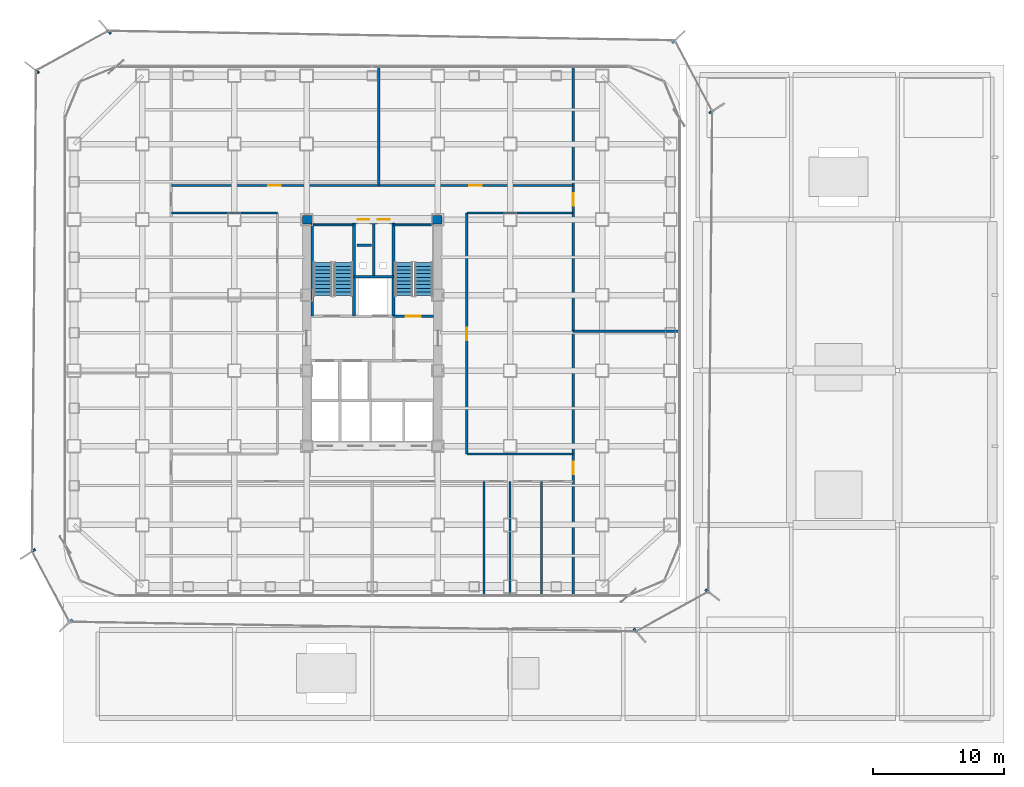
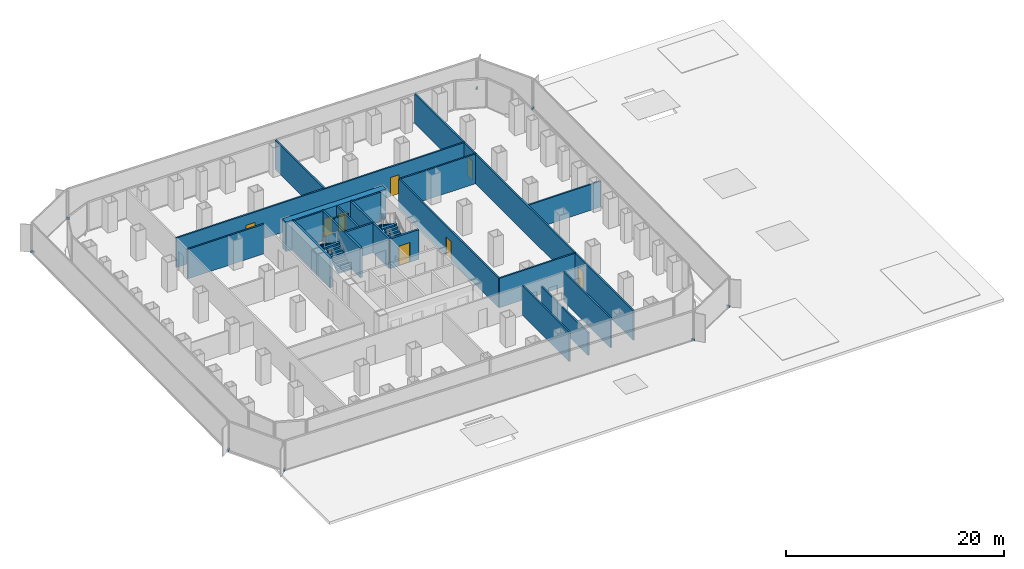
# One storey, part 24 of 27: 21 walls, 8 discrete accessories, 8 doors, 4 stair flights, 8 openings, 2 elements without a shape of their own.
"""IFC4 building model written with IfcOpenShell, lengths in metres."""

from ifc_helpers import new_model, si_unit, direction, frame, frame_2d, origin, origin_2d, place, context, subcontext, project, spatial, polyline, rectangle, outline, extrude, source, transform, mapped, material, layer, layer_set, type_object, element, fill, aggregate, save


model = new_model("IFC4")

# Units and contexts
model_context = context("Model", 3, precision=1e-05, world=origin(), true_north=direction((0.0, 1.0)))
body_context = subcontext(model_context, "Body", "Model", "MODEL_VIEW")
ifc_project = project(units=[si_unit("LENGTHUNIT", "METRE"), si_unit("AREAUNIT", "SQUARE_METRE"), si_unit("VOLUMEUNIT", "CUBIC_METRE"), si_unit("PLANEANGLEUNIT", "RADIAN"), si_unit("MASSUNIT", "GRAM", prefix="KILO")], contexts=[model_context])

# Site, building, storey
site_placement = place(None, origin())
site = spatial("IfcSite", under=ifc_project, at=site_placement, CompositionType="ELEMENT")
building_placement = place(site_placement, origin())
building = spatial("IfcBuilding", under=site, at=building_placement, Name="Kolveth Station Tower", CompositionType="ELEMENT")
storey_placement = place(building_placement, frame((0.0, 0.0, 22.5)))
storey = spatial("IfcBuildingStorey", under=building, at=storey_placement, Name="L05", CompositionType="ELEMENT", Elevation=22.5)

# Wall, openings, doors
ifc_material_1 = material(Name="Concrete C60/75", Category="concrete")
ifc_layer_1 = layer(ifc_material_1, 0.64990234375)
ifc_layer_set_1 = layer_set([ifc_layer_1], Name="Concrete C60/75")
wall_type_1 = type_object("IfcWallType", Name="Wall_CW-650", PredefinedType="SHEAR", material=ifc_layer_set_1)
wall_1_placement = place(storey_placement, frame((18.175048828125, 28.75, 0.0), z_axis=(0.0, 0.0, 1.0), x_axis=(1.0, 0.0, 0.0)))
wall_1 = element("IfcWall", 1, at=wall_1_placement, inside=storey, type_object=wall_type_1, Name="L05 Core RC Shear Wall N", PredefinedType="SHEAR", context=body_context, shape_type="SweptSolid", body=[
    extrude(rectangle(XDim=10.64990234375, YDim=0.64990234375, at=frame_2d((5.324951171875, 0.0))), origin(), (0.0, 0.0, 1.0), 3.320068359375),
])
opening_1_placement = place(wall_1_placement, frame((4.205078125, 0.0, 0.0)))
opening_1 = element("IfcOpeningElement", 2, at=opening_1_placement, cuts=wall_1, Name="Opening RD1", PredefinedType="OPENING", context=body_context, shape_type="SweptSolid", body=[
    extrude(rectangle(XDim=0.89990234375, YDim=2.050048828125, at=frame_2d((0.449951171875, 1.02490234375))), frame((0.0, 0.3349609375, 0.0), z_axis=(0.0, -1.0, 0.0), x_axis=(1.0, 0.0, 0.0)), (0.0, 0.0, 1.0), 0.669921875),
])
opening_2_placement = place(wall_1_placement, frame((5.7451171875, 0.0, 0.0)))
opening_2 = element("IfcOpeningElement", 3, at=opening_2_placement, cuts=wall_1, Name="Opening RD1", PredefinedType="OPENING", context=body_context, shape_type="SweptSolid", body=[
    extrude(rectangle(XDim=0.89990234375, YDim=2.050048828125, at=frame_2d((0.449951171875, 1.02490234375))), frame((0.0, 0.3349609375, 0.0), z_axis=(0.0, -1.0, 0.0), x_axis=(1.0, 0.0, 0.0)), (0.0, 0.0, 1.0), 0.669921875),
])
ifc_material_2 = material(Name="Fire-rated Steel S355 riser access leaf", Category="steel")
door_type_1 = type_object("IfcDoorType", Name="Door_RD1", OperationType="NOTDEFINED", PredefinedType="DOOR", material=ifc_material_2)
door_1_placement = place(opening_1_placement, origin())
door_1 = element("IfcDoor", 4, at=door_1_placement, inside=storey, type_object=door_type_1, Name="L05 Electrical Riser Access Door", OperationType="SINGLE_SWING_LEFT", OverallHeight=2.050048828125, OverallWidth=0.89990234375, PredefinedType="DOOR", context=body_context, shape_type="SweptSolid", body=[
    extrude(rectangle(XDim=0.89990234375, YDim=2.050048828125, at=frame_2d((0.449951171875, 1.02490234375))), frame((0.0, 0.02490234375, 0.0), z_axis=(0.0, -1.0, 0.0), x_axis=(1.0, 0.0, 0.0)), (0.0, 0.0, 1.0), 0.050048828125),
])
fill(opening_1, door_1)
door_2_placement = place(opening_2_placement, origin())
door_2 = element("IfcDoor", 5, at=door_2_placement, inside=storey, type_object=door_type_1, Name="L05 Smoke Duct Access Door", OperationType="SINGLE_SWING_RIGHT", OverallHeight=2.050048828125, OverallWidth=0.89990234375, PredefinedType="DOOR", context=body_context, shape_type="SweptSolid", body=[
    extrude(rectangle(XDim=0.89990234375, YDim=2.050048828125, at=frame_2d((0.449951171875, 1.02490234375))), frame((0.0, 0.02490234375, 0.0), z_axis=(0.0, -1.0, 0.0), x_axis=(1.0, 0.0, 0.0)), (0.0, 0.0, 1.0), 0.050048828125),
])
fill(opening_2, door_2)

# Walls
ifc_material_3 = material(Name="Acoustic double-stud gypsum partition")
ifc_layer_2 = layer(ifc_material_3, 0.1650390625)
ifc_layer_set_2 = layer_set([ifc_layer_2], Name="Acoustic double-stud gypsum partition")
wall_type_2 = type_object("IfcWallType", Name="Wall_IW-165", PredefinedType="PARTITIONING", material=ifc_layer_set_2)
wall_2_placement = place(storey_placement, frame((18.8349609375, 28.3349609375, 0.0), z_axis=(0.0, 0.0, 1.0), x_axis=(1.0, 0.0, 0.0)))
element("IfcWall", 6, at=wall_2_placement, inside=storey, type_object=wall_type_2, Name="L05 Stair Shaft Wall WL-L05-ST1-N", PredefinedType="PARTITIONING", context=body_context, shape_type="SweptSolid", body=[
    extrude(rectangle(XDim=3.275146484375, YDim=0.1650390625, at=frame_2d((1.6376953125, 0.0))), origin(), (0.0, 0.0, 1.0), 3.320068359375),
])
wall_3_placement = place(storey_placement, frame((25.1298828125, 28.3349609375, 0.0), z_axis=(0.0, 0.0, 1.0), x_axis=(1.0, 0.0, 0.0)))
element("IfcWall", 7, at=wall_3_placement, inside=storey, type_object=wall_type_2, Name="L05 Stair Shaft Wall WL-L05-ST2-N", PredefinedType="PARTITIONING", context=body_context, shape_type="SweptSolid", body=[
    extrude(rectangle(XDim=3.03515625, YDim=0.1650390625, at=frame_2d((1.517578125, 0.0))), origin(), (0.0, 0.0, 1.0), 3.320068359375),
])
wall_4_placement = place(storey_placement, frame((23.6201171875, 24.39990234375, 0.0), z_axis=(0.0, 0.0, 1.0), x_axis=(0.0, 1.0, 0.0)))
element("IfcWall", 8, at=wall_4_placement, inside=storey, type_object=wall_type_2, Name="L05 Partition Wall WL-L05-RSR-M", PredefinedType="PARTITIONING", context=body_context, shape_type="SweptSolid", body=[
    extrude(rectangle(XDim=4.01513671875, YDim=0.1650390625, at=frame_2d((2.007568359375, 0.0))), origin(), (0.0, 0.0, 1.0), 3.320068359375),
])

# Wall, openings, doors
wall_5_placement = place(storey_placement, frame((8.199951171875, 31.35009765625, 0.0), z_axis=(0.0, 0.0, 1.0), x_axis=(1.0, 0.0, 0.0)))
wall_5 = element("IfcWall", 9, at=wall_5_placement, inside=storey, type_object=wall_type_2, Name="L05 Partition Wall WL-L05-ON", PredefinedType="PARTITIONING", context=body_context, shape_type="SweptSolid", body=[
    extrude(rectangle(XDim=30.60009765625, YDim=0.1650390625, at=frame_2d((15.300048828125, 0.0))), origin(), (0.0, 0.0, 1.0), 3.320068359375),
])
opening_3_placement = place(wall_5_placement, frame((7.39990234375, 0.0, 0.0)))
opening_3 = element("IfcOpeningElement", 10, at=opening_3_placement, cuts=wall_5, Name="Opening ID1", PredefinedType="OPENING", context=body_context, shape_type="SweptSolid", body=[
    extrude(rectangle(XDim=0.949951171875, YDim=2.14990234375, at=frame_2d((0.47509765625, 1.074951171875))), frame((0.0, 0.092529296875, 0.0), z_axis=(0.0, -1.0, 0.0), x_axis=(1.0, 0.0, 0.0)), (0.0, 0.0, 1.0), 0.18505859375),
])
opening_4_placement = place(wall_5_placement, frame((22.699951171875, 0.0, 0.0)))
opening_4 = element("IfcOpeningElement", 11, at=opening_4_placement, cuts=wall_5, Name="Opening ID1", PredefinedType="OPENING", context=body_context, shape_type="SweptSolid", body=[
    extrude(rectangle(XDim=0.949951171875, YDim=2.14990234375, at=frame_2d((0.47509765625, 1.074951171875))), frame((0.0, 0.092529296875, 0.0), z_axis=(0.0, -1.0, 0.0), x_axis=(1.0, 0.0, 0.0)), (0.0, 0.0, 1.0), 0.18505859375),
])
ifc_material_4 = material(Name="Acoustic hardwood leaf and aluminium frame", Category="wood")
door_type_2 = type_object("IfcDoorType", Name="Door_ID1", OperationType="NOTDEFINED", PredefinedType="DOOR", material=ifc_material_4)
door_3_placement = place(opening_3_placement, origin())
door_3 = element("IfcDoor", 12, at=door_3_placement, inside=storey, type_object=door_type_2, Name="L05 Open Plan Office North Door", OperationType="SINGLE_SWING_RIGHT", OverallHeight=2.14990234375, OverallWidth=0.949951171875, PredefinedType="DOOR", context=body_context, shape_type="SweptSolid", body=[
    extrude(rectangle(XDim=0.949951171875, YDim=2.14990234375, at=frame_2d((0.47509765625, 1.074951171875))), frame((0.0, 0.02490234375, 0.0), z_axis=(0.0, -1.0, 0.0), x_axis=(1.0, 0.0, 0.0)), (0.0, 0.0, 1.0), 0.050048828125),
])
fill(opening_3, door_3)
door_4_placement = place(opening_4_placement, origin())
door_4 = element("IfcDoor", 13, at=door_4_placement, inside=storey, type_object=door_type_2, Name="L05 Executive Corner Office Door", OperationType="SINGLE_SWING_LEFT", OverallHeight=2.14990234375, OverallWidth=0.949951171875, PredefinedType="DOOR", context=body_context, shape_type="SweptSolid", body=[
    extrude(rectangle(XDim=0.949951171875, YDim=2.14990234375, at=frame_2d((0.47509765625, 1.074951171875))), frame((0.0, 0.02490234375, 0.0), z_axis=(0.0, -1.0, 0.0), x_axis=(1.0, 0.0, 0.0)), (0.0, 0.0, 1.0), 0.050048828125),
])
fill(opening_4, door_4)

# Walls
for number, where, z_axis, x_axis, name in (
    (14, (30.699951171875, 10.89990234375, 0.0), (0.0, 0.0, 1.0), (1.0, 0.0, 0.0), "L05 Partition Wall WL-L05-OSET"),
    (15, (8.199951171875, 29.25, 0.0), (0.0, 0.0, 1.0), (1.0, 0.0, 0.0), "L05 Partition Wall WL-L05-ONWB"),
    (16, (30.699951171875, 29.25, 0.0), (0.0, 0.0, 1.0), (1.0, 0.0, 0.0), "L05 Partition Wall WL-L05-ONEB"),
):
    element("IfcWall", number, at=place(storey_placement, frame(where, z_axis=z_axis, x_axis=x_axis)), inside=storey, type_object=wall_type_2, Name=name, PredefinedType="PARTITIONING", context=body_context, shape_type="SweptSolid", body=[
        extrude(rectangle(XDim=8.10009765625, YDim=0.1650390625, at=frame_2d((4.050048828125, 0.0))), origin(), (0.0, 0.0, 1.0), 3.320068359375),
    ])

# Wall, opening, door
wall_6_placement = place(storey_placement, frame((30.699951171875, 10.89990234375, 0.0), z_axis=(0.0, 0.0, 1.0), x_axis=(0.0, 1.0, 0.0)))
wall_6 = element("IfcWall", 17, at=wall_6_placement, inside=storey, type_object=wall_type_2, Name="L05 Partition Wall WL-L05-OCE", PredefinedType="PARTITIONING", context=body_context, shape_type="SweptSolid", body=[
    extrude(rectangle(XDim=18.35009765625, YDim=0.1650390625, at=frame_2d((9.175048828125, 0.0))), origin(), (0.0, 0.0, 1.0), 3.320068359375),
])
opening_5_placement = place(wall_6_placement, frame((8.675048828125, 0.0, 0.0)))
opening_5 = element("IfcOpeningElement", 18, at=opening_5_placement, cuts=wall_6, Name="Opening ID1", PredefinedType="OPENING", context=body_context, shape_type="SweptSolid", body=[
    extrude(rectangle(XDim=0.949951171875, YDim=2.14990234375, at=frame_2d((0.47509765625, 1.074951171875))), frame((0.0, 0.092529296875, 0.0), z_axis=(0.0, -1.0, 0.0), x_axis=(1.0, 0.0, 0.0)), (0.0, 0.0, 1.0), 0.18505859375),
])
door_5_placement = place(opening_5_placement, origin())
door_5 = element("IfcDoor", 19, at=door_5_placement, inside=storey, type_object=door_type_2, Name="L05 Internal Meeting Room E1 Door", OperationType="SINGLE_SWING_LEFT", OverallHeight=2.14990234375, OverallWidth=0.949951171875, PredefinedType="DOOR", context=body_context, shape_type="SweptSolid", body=[
    extrude(rectangle(XDim=0.949951171875, YDim=2.14990234375, at=frame_2d((0.47509765625, 1.074951171875))), frame((0.0, 0.02490234375, 0.0), z_axis=(0.0, -1.0, 0.0), x_axis=(1.0, 0.0, 0.0)), (0.0, 0.0, 1.0), 0.050048828125),
])
fill(opening_5, door_5)

# Wall, openings, doors
wall_7_placement = place(storey_placement, frame((38.800048828125, 0.159912109375, 0.0), z_axis=(0.0, 0.0, 1.0), x_axis=(0.0, 1.0, 0.0)))
wall_7 = element("IfcWall", 20, at=wall_7_placement, inside=storey, type_object=wall_type_2, Name="L05 Partition Wall WL-L05-OEEND", PredefinedType="PARTITIONING", context=body_context, shape_type="SweptSolid", body=[
    extrude(rectangle(XDim=40.18017578125, YDim=0.1650390625, at=frame_2d((20.090087890625, 0.0))), origin(), (0.0, 0.0, 1.0), 3.320068359375),
])
opening_6_placement = place(wall_7_placement, frame((9.18994140625, 0.0, 0.0)))
opening_6 = element("IfcOpeningElement", 21, at=opening_6_placement, cuts=wall_7, Name="Opening ID1", PredefinedType="OPENING", context=body_context, shape_type="SweptSolid", body=[
    extrude(rectangle(XDim=0.949951171875, YDim=2.14990234375, at=frame_2d((0.47509765625, 1.074951171875))), frame((0.0, 0.092529296875, 0.0), z_axis=(0.0, -1.0, 0.0), x_axis=(1.0, 0.0, 0.0)), (0.0, 0.0, 1.0), 0.18505859375),
])
opening_7_placement = place(wall_7_placement, frame((29.639892578125, 0.0, 0.0)))
opening_7 = element("IfcOpeningElement", 22, at=opening_7_placement, cuts=wall_7, Name="Opening ID1", PredefinedType="OPENING", context=body_context, shape_type="SweptSolid", body=[
    extrude(rectangle(XDim=0.949951171875, YDim=2.14990234375, at=frame_2d((0.47509765625, 1.074951171875))), frame((0.0, 0.092529296875, 0.0), z_axis=(0.0, -1.0, 0.0), x_axis=(1.0, 0.0, 0.0)), (0.0, 0.0, 1.0), 0.18505859375),
])
door_6_placement = place(opening_6_placement, origin())
door_6 = element("IfcDoor", 23, at=door_6_placement, inside=storey, type_object=door_type_2, Name="L05 East-South Wing Door", OperationType="SINGLE_SWING_RIGHT", OverallHeight=2.14990234375, OverallWidth=0.949951171875, PredefinedType="DOOR", context=body_context, shape_type="SweptSolid", body=[
    extrude(rectangle(XDim=0.949951171875, YDim=2.14990234375, at=frame_2d((0.47509765625, 1.074951171875))), frame((0.0, 0.02490234375, 0.0), z_axis=(0.0, -1.0, 0.0), x_axis=(1.0, 0.0, 0.0)), (0.0, 0.0, 1.0), 0.050048828125),
])
fill(opening_6, door_6)
door_7_placement = place(opening_7_placement, origin())
door_7 = element("IfcDoor", 24, at=door_7_placement, inside=storey, type_object=door_type_2, Name="L05 East-North Wing Door", OperationType="SINGLE_SWING_LEFT", OverallHeight=2.14990234375, OverallWidth=0.949951171875, PredefinedType="DOOR", context=body_context, shape_type="SweptSolid", body=[
    extrude(rectangle(XDim=0.949951171875, YDim=2.14990234375, at=frame_2d((0.47509765625, 1.074951171875))), frame((0.0, 0.02490234375, 0.0), z_axis=(0.0, -1.0, 0.0), x_axis=(1.0, 0.0, 0.0)), (0.0, 0.0, 1.0), 0.050048828125),
])
fill(opening_7, door_7)

# Walls
wall_8_placement = place(storey_placement, frame((32.0, 0.159912109375, 0.0), z_axis=(0.0, 0.0, 1.0), x_axis=(0.0, 1.0, 0.0)))
element("IfcWall", 25, at=wall_8_placement, inside=storey, type_object=wall_type_2, Name="L05 Partition Wall WL-L05-OS-P2", PredefinedType="PARTITIONING", context=body_context, shape_type="SweptSolid", body=[
    extrude(rectangle(XDim=8.64013671875, YDim=0.1650390625, at=frame_2d((4.320068359375, 0.0))), origin(), (0.0, 0.0, 1.0), 3.320068359375),
])
wall_9_placement = place(storey_placement, frame((34.0, 0.159912109375, 0.0), z_axis=(0.0, 0.0, 1.0), x_axis=(0.0, 1.0, 0.0)))
element("IfcWall", 26, at=wall_9_placement, inside=storey, type_object=wall_type_2, Name="L05 Partition Wall WL-L05-OS-P3", PredefinedType="PARTITIONING", context=body_context, shape_type="SweptSolid", body=[
    extrude(rectangle(XDim=8.64013671875, YDim=0.1650390625, at=frame_2d((4.320068359375, 0.0))), origin(), (0.0, 0.0, 1.0), 2.5390625),
])
wall_10_placement = place(storey_placement, frame((36.39990234375, 0.159912109375, 0.0), z_axis=(0.0, 0.0, 1.0), x_axis=(0.0, 1.0, 0.0)))
element("IfcWall", 27, at=wall_10_placement, inside=storey, type_object=wall_type_2, Name="L05 Partition Wall WL-L05-OS-P4", PredefinedType="PARTITIONING", context=body_context, shape_type="SweptSolid", body=[
    extrude(rectangle(XDim=8.64013671875, YDim=0.1650390625, at=frame_2d((4.320068359375, 0.0))), origin(), (0.0, 0.0, 1.0), 3.320068359375),
])
wall_11_placement = place(storey_placement, frame((24.0, 31.35009765625, 0.0), z_axis=(0.0, 0.0, 1.0), x_axis=(0.0, 1.0, 0.0)))
element("IfcWall", 28, at=wall_11_placement, inside=storey, type_object=wall_type_2, Name="L05 Partition Wall WL-L05-ON-P1", PredefinedType="PARTITIONING", context=body_context, shape_type="SweptSolid", body=[
    extrude(rectangle(XDim=8.989990234375, YDim=0.1650390625, at=frame_2d((4.4951171875, 0.0))), origin(), (0.0, 0.0, 1.0), 3.320068359375),
])
wall_12_placement = place(storey_placement, frame((38.800048828125, 20.25, 0.0), z_axis=(0.0, 0.0, 1.0), x_axis=(1.0, 0.0, 0.0)))
element("IfcWall", 29, at=wall_12_placement, inside=storey, type_object=wall_type_2, Name="L05 Partition Wall WL-L05-OEM", PredefinedType="PARTITIONING", context=body_context, shape_type="SweptSolid", body=[
    extrude(rectangle(XDim=8.0400390625, YDim=0.1650390625, at=frame_2d((4.02001953125, 0.0))), origin(), (0.0, 0.0, 1.0), 2.89794921875),
])
wall_13_placement = place(storey_placement, frame((22.35009765625, 26.800048828125, 0.0), z_axis=(0.0, 0.0, 1.0), x_axis=(1.0, 0.0, 0.0)))
element("IfcWall", 30, at=wall_13_placement, inside=storey, type_object=wall_type_2, Name="L05 Acoustic Riser Dry-Lining Wall", PredefinedType="PARTITIONING", context=body_context, shape_type="SweptSolid", body=[
    extrude(rectangle(XDim=1.099853515625, YDim=0.1650390625, at=frame_2d((0.5498046875, 0.0))), origin(), (0.0, 0.0, 1.0), 3.320068359375),
])
ifc_material_5 = material(Name="Acoustic fire-rated gypsum blockwork", Category="masonry")
ifc_layer_3 = layer(ifc_material_5, 0.199951171875)
ifc_layer_set_3 = layer_set([ifc_layer_3], Name="Acoustic fire-rated gypsum blockwork")
wall_type_3 = type_object("IfcWallType", Name="Wall_IW-200", PredefinedType="PARTITIONING", material=ifc_layer_set_3)
wall_14_placement = place(storey_placement, frame((22.110107421875, 24.39990234375, 0.0), z_axis=(0.0, 0.0, 1.0), x_axis=(1.0, 0.0, 0.0)))
element("IfcWall", 31, at=wall_14_placement, inside=storey, type_object=wall_type_3, Name="L05 Partition Wall WL-L05-RSR-S", PredefinedType="PARTITIONING", context=body_context, shape_type="SweptSolid", body=[
    extrude(rectangle(XDim=3.019775390625, YDim=0.199951171875, at=frame_2d((1.509765625, 0.0))), origin(), (0.0, 0.0, 1.0), 3.320068359375),
])
ifc_material_6 = material(Name="Concrete C40/50", Category="concrete")
ifc_layer_4 = layer(ifc_material_6, 0.219970703125)
ifc_layer_set_4 = layer_set([ifc_layer_4], Name="Concrete C40/50")
wall_type_4 = type_object("IfcWallType", Name="Wall_IW-220", PredefinedType="SOLIDWALL", material=ifc_layer_set_4)
for number, where, z_axis, x_axis, name in (
    (32, (18.929931640625, 21.389892578125, 0.0), (0.0, 0.0, 1.0), (0.0, 1.0, 0.0), "L05 Stair Shaft Wall WL-L05-ST1-W"),
    (33, (22.110107421875, 21.389892578125, 0.0), (0.0, 0.0, 1.0), (0.0, 1.0, 0.0), "L05 Stair Shaft Wall WL-L05-ST1-E"),
    (34, (25.1298828125, 21.389892578125, 0.0), (0.0, 0.0, 1.0), (0.0, 1.0, 0.0), "L05 Stair Shaft Wall WL-L05-ST2-W"),
):
    element("IfcWall", number, at=place(storey_placement, frame(where, z_axis=z_axis, x_axis=x_axis)), inside=storey, type_object=wall_type_4, Name=name, PredefinedType="SOLIDWALL", context=body_context, shape_type="SweptSolid", body=[
        extrude(rectangle(XDim=7.110107421875, YDim=0.219970703125, at=frame_2d((3.55517578125, 0.0))), origin(), (0.0, 0.0, 1.0), 3.320068359375),
    ])

# Wall, opening, door
wall_15_placement = place(storey_placement, frame((25.1298828125, 21.389892578125, 0.0), z_axis=(0.0, 0.0, 1.0), x_axis=(1.0, 0.0, 0.0)))
wall_15 = element("IfcWall", 35, at=wall_15_placement, inside=storey, type_object=wall_type_4, Name="L05 Stair Shaft Wall WL-L05-ST2-S", PredefinedType="SOLIDWALL", context=body_context, shape_type="SweptSolid", body=[
    extrude(rectangle(XDim=3.03515625, YDim=0.219970703125, at=frame_2d((1.517578125, 0.0))), origin(), (0.0, 0.0, 1.0), 3.320068359375),
])
opening_8_placement = place(wall_15_placement, frame((0.919921875, 0.0, 0.0)))
opening_8 = element("IfcOpeningElement", 36, at=opening_8_placement, cuts=wall_15, Name="Opening FD1", PredefinedType="OPENING", context=body_context, shape_type="SweptSolid", body=[
    extrude(rectangle(XDim=1.14990234375, YDim=2.199951171875, at=frame_2d((0.574951171875, 1.10009765625))), frame((0.0, 0.119873046875, 0.0), z_axis=(0.0, -1.0, 0.0), x_axis=(1.0, 0.0, 0.0)), (0.0, 0.0, 1.0), 0.239990234375),
])
ifc_material_7 = material(Name="Fire-rated Steel S355 leaf and frame", Category="steel")
door_type_3 = type_object("IfcDoorType", Name="Door_FD1", OperationType="NOTDEFINED", PredefinedType="DOOR", material=ifc_material_7)
door_8_placement = place(opening_8_placement, frame((1.14990234375, 0.0, 0.0), z_axis=(0.0, 0.0, 1.0), x_axis=(-1.0, 0.0, 0.0)))
door_8 = element("IfcDoor", 37, at=door_8_placement, inside=storey, type_object=door_type_3, Name="L05 Stair ST2 Fire Door", OperationType="SINGLE_SWING_LEFT", OverallHeight=2.199951171875, OverallWidth=1.14990234375, PredefinedType="DOOR", context=body_context, shape_type="SweptSolid", body=[
    extrude(rectangle(XDim=1.14990234375, YDim=2.199951171875, at=frame_2d((0.574951171875, 1.10009765625))), frame((0.0, 0.02490234375, 0.0), z_axis=(0.0, -1.0, 0.0), x_axis=(1.0, 0.0, 0.0)), (0.0, 0.0, 1.0), 0.050048828125),
])
fill(opening_8, door_8)

# Stair, stair flights
stair_type_1 = type_object("IfcStairType", Name="Stair_ST1", PredefinedType="HALF_TURN_STAIR", material=ifc_material_6)
stair_1_placement = place(storey_placement, origin())
stair_1 = element("IfcStair", 38, at=stair_1_placement, inside=storey, type_object=stair_type_1, Name="L05 Tower Exit Stair ST1", PredefinedType="HALF_TURN_STAIR")
ifc_layer_5 = layer(ifc_material_6, 0.179931640625)
ifc_layer_set_5 = layer_set([ifc_layer_5], Name="Concrete C40/50")
stair_flight_type_1 = type_object("IfcStairFlightType", Name="Flight_ST1", PredefinedType="STRAIGHT", material=ifc_layer_set_5)
stair_flight_1_placement = place(storey_placement, frame((21.300048828125, 22.949951171875, 0.0), z_axis=(0.0, 0.0, 1.0), x_axis=(0.0, 1.0, 0.0)))
stair_flight_1 = element("IfcStairFlight", 39, at=stair_flight_1_placement, type_object=stair_flight_type_1, Name="ST1 flight 1", NumberOfRisers=10, NumberOfTreads=9, PredefinedType="STRAIGHT", RiserHeight=0.18, TreadLength=0.28, context=body_context, shape_type="SweptSolid", body=[
    extrude(outline(polyline([(0.0, 0.0), (0.0, 0.179931640625), (0.280029296875, 0.179931640625), (0.280029296875, 0.360107421875), (0.56005859375, 0.360107421875), (0.56005859375, 0.5400390625), (0.840087890625, 0.5400390625), (0.840087890625, 0.719970703125), (1.1201171875, 0.719970703125), (1.1201171875, 0.89990234375), (1.39990234375, 0.89990234375), (1.39990234375, 1.080078125), (1.679931640625, 1.080078125), (1.679931640625, 1.260009765625), (1.9599609375, 1.260009765625), (1.9599609375, 1.43994140625), (2.239990234375, 1.43994140625), (2.239990234375, 1.6201171875), (2.52001953125, 1.6201171875), (2.52001953125, 1.800048828125), (2.52001953125, 1.44189453125), (0.277099609375, 0.0), (0.0, 0.0)])), frame((0.0, 0.699951171875, 0.0), z_axis=(0.0, -1.0, 0.0), x_axis=(1.0, 0.0, 0.0)), (0.0, 0.0, 1.0), 1.39990234375),
])
stair_flight_2_placement = place(storey_placement, frame((19.739990234375, 25.469970703125, 1.800048828125), z_axis=(0.0, 0.0, 1.0), x_axis=(0.0, -1.0, 0.0)))
stair_flight_2 = element("IfcStairFlight", 40, at=stair_flight_2_placement, type_object=stair_flight_type_1, Name="ST1 flight 2", NumberOfRisers=10, NumberOfTreads=9, PredefinedType="STRAIGHT", RiserHeight=0.18, TreadLength=0.28, context=body_context, shape_type="SweptSolid", body=[
    extrude(outline(polyline([(0.0, 0.0), (0.0, 0.179931640625), (0.280029296875, 0.179931640625), (0.280029296875, 0.360107421875), (0.56005859375, 0.360107421875), (0.56005859375, 0.5400390625), (0.840087890625, 0.5400390625), (0.840087890625, 0.719970703125), (1.1201171875, 0.719970703125), (1.1201171875, 0.89990234375), (1.39990234375, 0.89990234375), (1.39990234375, 1.080078125), (1.679931640625, 1.080078125), (1.679931640625, 1.260009765625), (1.9599609375, 1.260009765625), (1.9599609375, 1.43994140625), (2.239990234375, 1.43994140625), (2.239990234375, 1.6201171875), (2.52001953125, 1.6201171875), (2.52001953125, 1.800048828125), (2.52001953125, 1.44189453125), (0.277099609375, 0.0), (0.0, 0.0)])), frame((0.0, 0.699951171875, 0.0), z_axis=(0.0, -1.0, 0.0), x_axis=(1.0, 0.0, 0.0)), (0.0, 0.0, 1.0), 1.39990234375),
])
aggregate(stair_1, [stair_flight_1, stair_flight_2])

stair_type_2 = type_object("IfcStairType", Name="Stair_ST2", PredefinedType="HALF_TURN_STAIR", material=ifc_material_6)
stair_2_placement = place(storey_placement, origin())
stair_2 = element("IfcStair", 41, at=stair_2_placement, inside=storey, type_object=stair_type_2, Name="L05 Tower Exit Stair ST2", PredefinedType="HALF_TURN_STAIR")
ifc_layer_6 = layer(ifc_material_6, 0.179931640625)
ifc_layer_set_6 = layer_set([ifc_layer_6], Name="Concrete C40/50")
stair_flight_type_2 = type_object("IfcStairFlightType", Name="Flight_ST2", PredefinedType="STRAIGHT", material=ifc_layer_set_6)
stair_flight_3_placement = place(storey_placement, frame((27.425048828125, 22.949951171875, 0.0), z_axis=(0.0, 0.0, 1.0), x_axis=(0.0, 1.0, 0.0)))
stair_flight_3 = element("IfcStairFlight", 42, at=stair_flight_3_placement, type_object=stair_flight_type_2, Name="ST2 flight 1", NumberOfRisers=10, NumberOfTreads=9, PredefinedType="STRAIGHT", RiserHeight=0.18, TreadLength=0.28, context=body_context, shape_type="SweptSolid", body=[
    extrude(outline(polyline([(0.0, 0.0), (0.0, 0.179931640625), (0.280029296875, 0.179931640625), (0.280029296875, 0.360107421875), (0.56005859375, 0.360107421875), (0.56005859375, 0.5400390625), (0.840087890625, 0.5400390625), (0.840087890625, 0.719970703125), (1.1201171875, 0.719970703125), (1.1201171875, 0.89990234375), (1.39990234375, 0.89990234375), (1.39990234375, 1.080078125), (1.679931640625, 1.080078125), (1.679931640625, 1.260009765625), (1.9599609375, 1.260009765625), (1.9599609375, 1.43994140625), (2.239990234375, 1.43994140625), (2.239990234375, 1.6201171875), (2.52001953125, 1.6201171875), (2.52001953125, 1.800048828125), (2.52001953125, 1.44189453125), (0.277099609375, 0.0), (0.0, 0.0)])), frame((0.0, 0.675048828125, 0.0), z_axis=(0.0, -1.0, 0.0), x_axis=(1.0, 0.0, 0.0)), (0.0, 0.0, 1.0), 1.35009765625),
])
stair_flight_4_placement = place(storey_placement, frame((25.9150390625, 25.469970703125, 1.800048828125), z_axis=(0.0, 0.0, 1.0), x_axis=(0.0, -1.0, 0.0)))
stair_flight_4 = element("IfcStairFlight", 43, at=stair_flight_4_placement, type_object=stair_flight_type_2, Name="ST2 flight 2", NumberOfRisers=10, NumberOfTreads=9, PredefinedType="STRAIGHT", RiserHeight=0.18, TreadLength=0.28, context=body_context, shape_type="SweptSolid", body=[
    extrude(outline(polyline([(0.0, 0.0), (0.0, 0.179931640625), (0.280029296875, 0.179931640625), (0.280029296875, 0.360107421875), (0.56005859375, 0.360107421875), (0.56005859375, 0.5400390625), (0.840087890625, 0.5400390625), (0.840087890625, 0.719970703125), (1.1201171875, 0.719970703125), (1.1201171875, 0.89990234375), (1.39990234375, 0.89990234375), (1.39990234375, 1.080078125), (1.679931640625, 1.080078125), (1.679931640625, 1.260009765625), (1.9599609375, 1.260009765625), (1.9599609375, 1.43994140625), (2.239990234375, 1.43994140625), (2.239990234375, 1.6201171875), (2.52001953125, 1.6201171875), (2.52001953125, 1.800048828125), (2.52001953125, 1.44189453125), (0.277099609375, 0.0), (0.0, 0.0)])), frame((0.0, 0.675048828125, 0.0), z_axis=(0.0, -1.0, 0.0), x_axis=(1.0, 0.0, 0.0)), (0.0, 0.0, 1.0), 1.35009765625),
])
aggregate(stair_2, [stair_flight_3, stair_flight_4])

# Discrete accessories
ifc_material_8 = material(Name="Steel S355", Category="steel")
discrete_accessory_type = type_object("IfcDiscreteAccessoryType", Name="Bracket_BK1", PredefinedType="BRACKET", material=ifc_material_8)
shared_shape = source(origin(), body_context, "Body", "SweptSolid", [
    extrude(rectangle(XDim=0.35009765625, YDim=0.159912109375, at=origin_2d()), origin(), (0.0, 0.0, 1.0), 0.219970703125),
])
for number, where, z_axis, x_axis, name in (
    (44, (43.531005859375, -2.5390625, -0.06005859375), (0.0, 0.0, 1.0), (0.660132778235, -0.75114893004, 0.0), "L05 Double-Skin Radial Tie Bracket 1"),
    (45, (49.010009765625, 0.47607421875, -0.06005859375), (0.0, 0.0, 1.0), (0.790368909154, -0.612631200187, 0.0), "L05 Double-Skin Radial Tie Bracket 2"),
    (46, (49.31005859375, 36.9560546875, -0.06005859375), (0.0, 0.0, 1.0), (0.839525049921, 0.543320982988, 0.0), "L05 Double-Skin Radial Tie Bracket 3"),
    (47, (46.470947265625, 42.318115234375, -0.06005859375), (0.0, 0.0, 1.0), (0.721155944485, 0.692772764861, 0.0), "L05 Double-Skin Radial Tie Bracket 4"),
    (48, (3.469970703125, 43.031982421875, -0.06005859375), (0.0, 0.0, 1.0), (-0.6602638684, 0.751033703695, 0.0), "L05 Double-Skin Radial Tie Bracket 5"),
    (49, (-2.010009765625, 40.02392578125, -0.06005859375), (0.0, 0.0, 1.0), (-0.790368909154, 0.612631200187, 0.0), "L05 Double-Skin Radial Tie Bracket 6"),
    (50, (-2.305908203125, 3.544921875, -0.06005859375), (0.0, 0.0, 1.0), (-0.839430209734, -0.543467499475, 0.0), "L05 Double-Skin Radial Tie Bracket 7"),
    (51, (0.531982421875, -1.81201171875, -0.06005859375), (0.0, 0.0, 1.0), (-0.721155944485, -0.692772764861, 0.0), "L05 Double-Skin Radial Tie Bracket 8"),
):
    element("IfcDiscreteAccessory", number, at=place(storey_placement, frame(where, z_axis=z_axis, x_axis=x_axis)), inside=storey, type_object=discrete_accessory_type, Name=name, PredefinedType="BRACKET", context=body_context, shape_type="MappedRepresentation", body=[
        mapped(shared_shape, transform((0.0, 0.0, 0.0), x_axis=(1.0, 0.0, 0.0), y_axis=(0.0, 1.0, 0.0), z_axis=(0.0, 0.0, 1.0), scale=1.0)),
    ])

save(model, "model.ifc")
